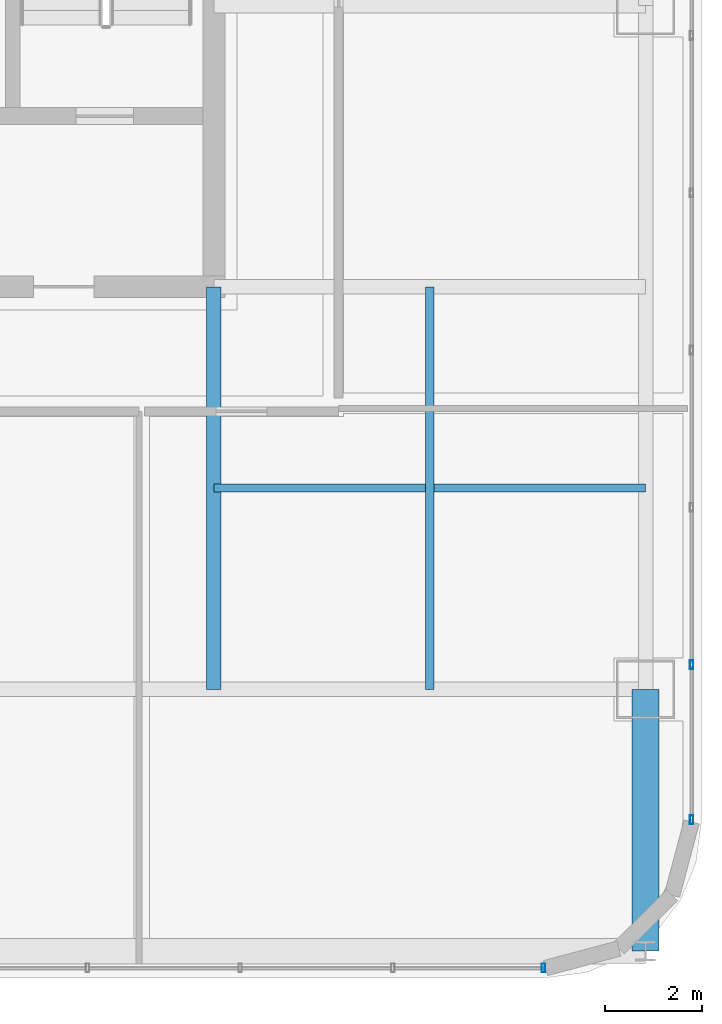
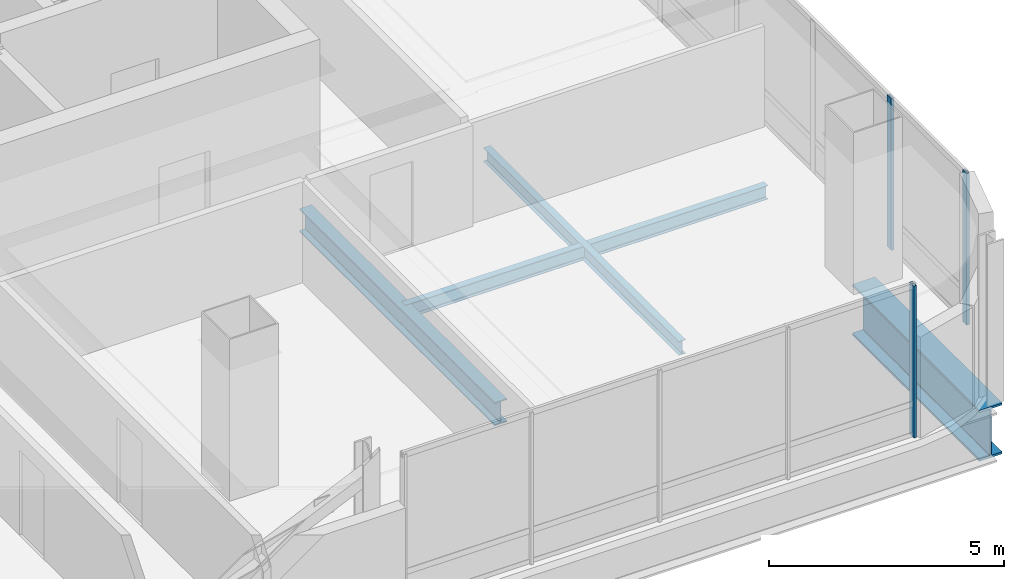
# One storey, part 18 of 46: 4 beams, 3 members, 2 elements without a shape of their own.
"""IFC4 building model written with IfcOpenShell, lengths in metres."""

from ifc_helpers import new_model, si_unit, direction, frame, origin, origin_2d, place, context, subcontext, project, spatial, hollow_rectangle, i_section, extrude, material, material_profile, profile_set, type_object, element, aggregate, save


model = new_model("IFC4")

# Units and contexts
model_context = context("Model", 3, precision=1e-05, world=origin(), true_north=direction((0.0, 1.0)))
body_context = subcontext(model_context, "Body", "Model", "MODEL_VIEW")
ifc_project = project(units=[si_unit("LENGTHUNIT", "METRE"), si_unit("AREAUNIT", "SQUARE_METRE"), si_unit("VOLUMEUNIT", "CUBIC_METRE"), si_unit("PLANEANGLEUNIT", "RADIAN"), si_unit("MASSUNIT", "GRAM", prefix="KILO")], contexts=[model_context])

# Site, building, storey
site_placement = place(None, origin())
site = spatial("IfcSite", under=ifc_project, at=site_placement, CompositionType="ELEMENT")
building_placement = place(site_placement, origin())
building = spatial("IfcBuilding", under=site, at=building_placement, Name="Punatoya Terracotta Tower", CompositionType="ELEMENT")
storey_placement = place(building_placement, frame((0.0, 0.0, 330.0)))
storey = spatial("IfcBuildingStorey", under=building, at=storey_placement, Name="L78", CompositionType="ELEMENT", Elevation=330.0)

# Beams
ifc_material_1 = material(Name="Steel S355", Category="steel")
ifc_material_profile_1 = material_profile(ifc_material_1, i_section(OverallWidth=0.300048828125, OverallDepth=0.60009765625, WebThickness=0.015380859375, FlangeThickness=0.030029296875, FilletRadius=0.01806640625, at=origin_2d()))
ifc_profile_set_1 = profile_set([ifc_material_profile_1], Name="Steel S355")
beam_type_1 = type_object("IfcBeamType", Name="BM-PRI-600", PredefinedType="BEAM", material=ifc_profile_set_1)
beam_1_placement = place(storey_placement, frame((10.199951171875, -17.5, -0.5), z_axis=(0.0, 1.0, 0.0), x_axis=(-1.0, 0.0, 0.0)))
element("IfcBeam", 1, at=beam_1_placement, inside=storey, type_object=beam_type_1, Name="BM-L78-PR-S4", PredefinedType="BEAM", context=body_context, shape_type="SweptSolid", body=[
    extrude(i_section(OverallWidth=0.300048828125, OverallDepth=0.60009765625, WebThickness=0.015380859375, FlangeThickness=0.030029296875, FilletRadius=0.01806640625, at=origin_2d()), origin(), (0.0, 0.0, 1.0), 8.300048828125),
])
ifc_material_profile_2 = material_profile(ifc_material_1, i_section(OverallWidth=0.169921875, OverallDepth=0.360107421875, WebThickness=0.008056640625, FlangeThickness=0.0126953125, FilletRadius=0.01806640625, at=origin_2d()))
ifc_profile_set_2 = profile_set([ifc_material_profile_2], Name="Steel S355")
beam_type_2 = type_object("IfcBeamType", Name="BM-SEC-360", PredefinedType="JOIST", material=ifc_profile_set_2)
beam_2_placement = place(storey_placement, frame((10.199951171875, -13.35009765625, -0.3798828125), z_axis=(1.0, 0.0, 0.0), x_axis=(0.0, 1.0, 0.0)))
element("IfcBeam", 2, at=beam_2_placement, inside=storey, type_object=beam_type_2, Name="BM-L78-SJS-2", PredefinedType="JOIST", context=body_context, shape_type="SweptSolid", body=[
    extrude(i_section(OverallWidth=0.169921875, OverallDepth=0.360107421875, WebThickness=0.008056640625, FlangeThickness=0.0126953125, FilletRadius=0.01806640625, at=origin_2d()), origin(), (0.0, 0.0, 1.0), 8.900146484375),
])
beam_3_placement = place(storey_placement, frame((14.64990234375, -17.5, -0.3798828125), z_axis=(0.0, 1.0, 0.0), x_axis=(-1.0, 0.0, 0.0)))
element("IfcBeam", 3, at=beam_3_placement, inside=storey, type_object=beam_type_2, Name="BM-L78-SJE-1", PredefinedType="JOIST", context=body_context, shape_type="SweptSolid", body=[
    extrude(i_section(OverallWidth=0.169921875, OverallDepth=0.360107421875, WebThickness=0.008056640625, FlangeThickness=0.0126953125, FilletRadius=0.01806640625, at=origin_2d()), origin(), (0.0, 0.0, 1.0), 8.300048828125),
])
ifc_material_2 = material(Name="Steel S460", Category="steel")
ifc_material_profile_3 = material_profile(ifc_material_2, i_section(OverallWidth=0.56005859375, OverallDepth=1.320068359375, WebThickness=0.035888671875, FlangeThickness=0.054931640625, FilletRadius=0.01806640625, at=origin_2d()))
ifc_profile_set_3 = profile_set([ifc_material_profile_3], Name="Steel S460")
beam_type_3 = type_object("IfcBeamType", Name="BM-TG-BLK", PredefinedType="BEAM", material=ifc_profile_set_3)
beam_4_placement = place(storey_placement, frame((19.10009765625, -22.89990234375, -0.860107421875), z_axis=(0.0, 1.0, 0.0), x_axis=(-1.0, 0.0, 0.0)))
element("IfcBeam", 4, at=beam_4_placement, inside=storey, type_object=beam_type_3, Name="BM-L78-CANT-S4", PredefinedType="BEAM", context=body_context, shape_type="SweptSolid", body=[
    extrude(i_section(OverallWidth=0.56005859375, OverallDepth=1.320068359375, WebThickness=0.035888671875, FlangeThickness=0.054931640625, FilletRadius=0.01806640625, at=origin_2d()), origin(), (0.0, 0.0, 1.0), 5.39990234375),
])

# Curtain wall, member
ifc_material_3 = material(Name="Aluminium 6063-T6 + Double Low-E Glass", Category="aluminium")
curtain_wall_type = type_object("IfcCurtainWallType", Name="CW-OBS", PredefinedType="NOTDEFINED", material=ifc_material_3)
curtain_wall_1_placement = place(storey_placement, origin())
curtain_wall_1 = element("IfcCurtainWall", 5, at=curtain_wall_1_placement, inside=storey, type_object=curtain_wall_type, Name="L78 Curtain Wall CW-L78-S01-2", PredefinedType="NOTDEFINED")
ifc_material_4 = material(Name="Aluminium 6063-T6", Category="aluminium")
ifc_material_profile_4 = material_profile(ifc_material_4, hollow_rectangle(XDim=0.070068359375, YDim=0.179931640625, WallThickness=0.00390625, at=origin_2d()))
ifc_profile_set_4 = profile_set([ifc_material_profile_4], Name="Aluminium 6063-T6")
member_type = type_object("IfcMemberType", Name="CW-MUL-M3", PredefinedType="MULLION", material=ifc_profile_set_4)
member_1_placement = place(storey_placement, frame((16.991943359375, -23.25, 0.0), z_axis=(0.0, 0.0, 1.0), x_axis=(1.0, 0.0, 0.0)))
member_1 = element("IfcMember", 6, at=member_1_placement, type_object=member_type, Name="CW-L78-S01-2 Mullion 04", PredefinedType="MULLION", context=body_context, shape_type="SweptSolid", body=[
    extrude(hollow_rectangle(XDim=0.070068359375, YDim=0.179931640625, WallThickness=0.00390625, at=origin_2d()), origin(), (0.0, 0.0, 1.0), 3.93994140625),
])
aggregate(curtain_wall_1, [member_1])

# Curtain wall, members
curtain_wall_2_placement = place(storey_placement, origin())
curtain_wall_2 = element("IfcCurtainWall", 7, at=curtain_wall_2_placement, inside=storey, type_object=curtain_wall_type, Name="L78 Curtain Wall CW-L78-E05-1", PredefinedType="NOTDEFINED")
member_2_placement = place(storey_placement, frame((20.050048828125, -20.19189453125, 0.0), z_axis=(0.0, 0.0, 1.0), x_axis=(1.0, 0.0, 0.0)))
member_2 = element("IfcMember", 8, at=member_2_placement, type_object=member_type, Name="CW-L78-E05-1 Mullion 00", PredefinedType="MULLION", context=body_context, shape_type="SweptSolid", body=[
    extrude(hollow_rectangle(XDim=0.070068359375, YDim=0.179931640625, WallThickness=0.00390625, at=origin_2d()), origin(), (0.0, 0.0, 1.0), 3.93994140625),
])
member_3_placement = place(storey_placement, frame((20.050048828125, -16.993896484375, 0.0), z_axis=(0.0, 0.0, 1.0), x_axis=(1.0, 0.0, 0.0)))
member_3 = element("IfcMember", 9, at=member_3_placement, type_object=member_type, Name="CW-L78-E05-1 Mullion 01", PredefinedType="MULLION", context=body_context, shape_type="SweptSolid", body=[
    extrude(hollow_rectangle(XDim=0.070068359375, YDim=0.179931640625, WallThickness=0.00390625, at=origin_2d()), origin(), (0.0, 0.0, 1.0), 3.93994140625),
])
aggregate(curtain_wall_2, [member_2, member_3])

save(model, "model.ifc")
